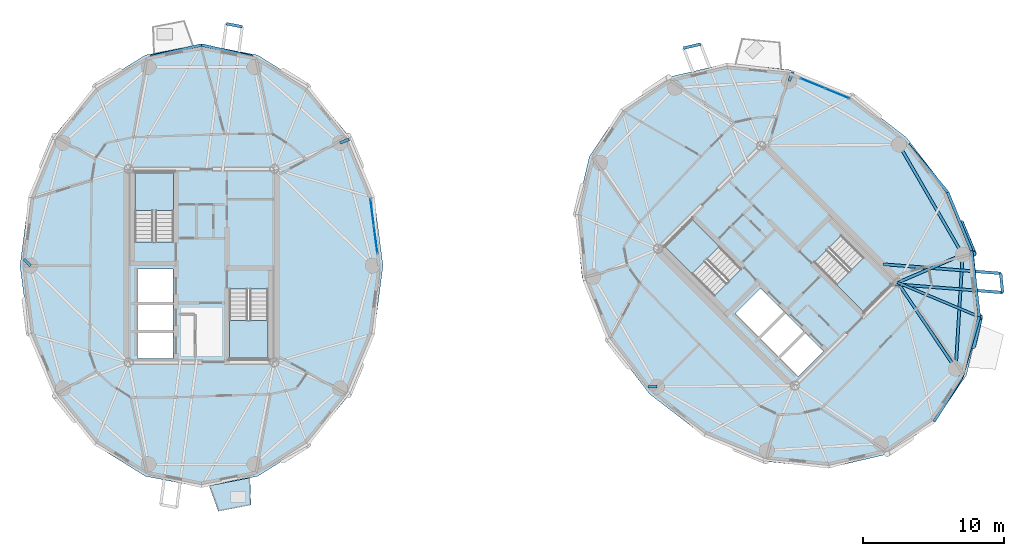
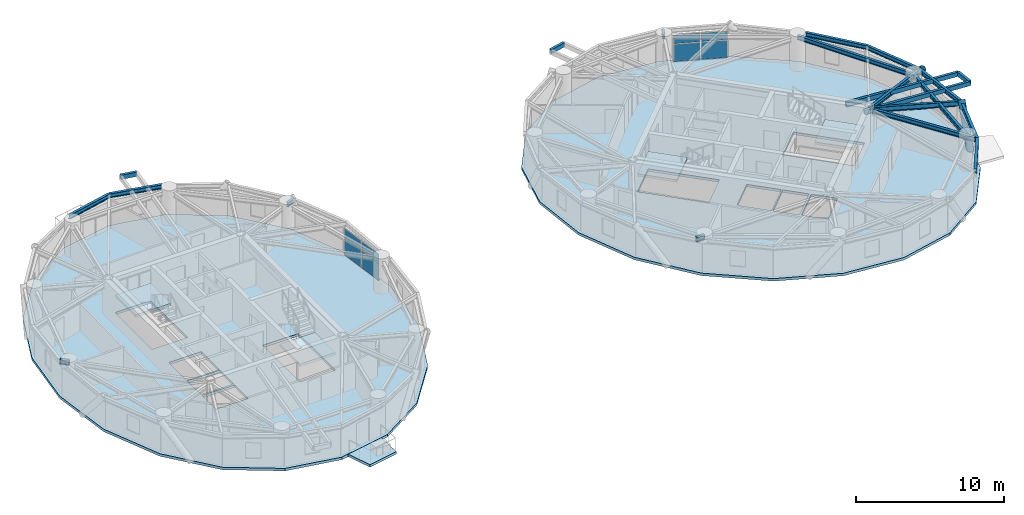
# One storey, part 7 of 17: 21 beams, 8 plates, 7 slabs, 2 members, 6 elements without a shape of their own.
"""IFC4 building model written with IfcOpenShell, lengths in metres."""

from ifc_helpers import new_model, si_unit, direction, frame, origin, origin_2d, place, context, subcontext, project, spatial, polyline, rectangle, hollow_rectangle, hollow_circle, i_section, outline, extrude, source, transform, mapped, material, layer, layer_set, material_profile, profile_set, type_object, element, aggregate, save


model = new_model("IFC4")

# Units and contexts
model_context = context("Model", 3, precision=1e-05, world=origin(), true_north=direction((0.0, 1.0)))
body_context = subcontext(model_context, "Body", "Model", "MODEL_VIEW")
ifc_project = project(units=[si_unit("LENGTHUNIT", "METRE"), si_unit("AREAUNIT", "SQUARE_METRE"), si_unit("VOLUMEUNIT", "CUBIC_METRE"), si_unit("PLANEANGLEUNIT", "RADIAN"), si_unit("MASSUNIT", "GRAM", prefix="KILO")], contexts=[model_context])

# Site, building, storey
site_placement = place(None, origin())
site = spatial("IfcSite", under=ifc_project, at=site_placement, CompositionType="ELEMENT")
building_placement = place(site_placement, origin())
building = spatial("IfcBuilding", under=site, at=building_placement, Name="Cununo Teusaquillo Station Towers", CompositionType="ELEMENT")
storey_placement = place(building_placement, frame((0.0, 0.0, 205.389892578125)))
storey = spatial("IfcBuildingStorey", under=building, at=storey_placement, Name="L65", CompositionType="ELEMENT", Elevation=205.389892578125)

# Beams
ifc_material_1 = material(Name="Steel EN 10025-2 S355J2", Category="steel")
ifc_material_profile_1 = material_profile(ifc_material_1, hollow_rectangle(XDim=0.199951171875, YDim=0.35009765625, WallThickness=0.013916015625, at=origin_2d()), Name="RHS 350x200x14")
ifc_profile_set_1 = profile_set([ifc_material_profile_1], Name="Steel EN 10025-2 S355J2")
beam_type_1 = type_object("IfcBeamType", Name="BM-BAL-CANT", PredefinedType="BEAM", material=ifc_profile_set_1)
beam_1_placement = place(storey_placement, frame((65.602783203125, 23.1982421875, 2.525146484375), z_axis=(0.997032447952, -0.076982450804, 0.0), x_axis=(0.076982450804, 0.997032447952, 0.0)))
element("IfcBeam", 1, at=beam_1_placement, inside=storey, type_object=beam_type_1, Name="L65 Tower B Balcony Cantilever Bracket 2A", PredefinedType="BEAM", context=body_context, shape_type="SweptSolid", body=[
    extrude(hollow_rectangle(XDim=0.199951171875, YDim=0.35009765625, WallThickness=0.013916015625, at=origin_2d()), origin(), (0.0, 0.0, 1.0), 7.89990234375),
])
beam_2_placement = place(storey_placement, frame((64.966064453125, 24.599853515625, 2.525146484375), z_axis=(0.997033941401, -0.076963106063, 0.0), x_axis=(0.076963106063, 0.997033941401, 0.0)))
element("IfcBeam", 2, at=beam_2_placement, inside=storey, type_object=beam_type_1, Name="L65 Tower B Balcony Cantilever Bracket 2B", PredefinedType="BEAM", context=body_context, shape_type="SweptSolid", body=[
    extrude(hollow_rectangle(XDim=0.199951171875, YDim=0.35009765625, WallThickness=0.013916015625, at=origin_2d()), origin(), (0.0, 0.0, 1.0), 8.403076171875),
])
ifc_material_2 = material(Name="Steel ASTM A572 Grade 50", Category="steel")
ifc_material_profile_2 = material_profile(ifc_material_2, i_section(OverallWidth=0.180908203125, OverallDepth=0.4169921875, WebThickness=0.010986328125, FlangeThickness=0.018310546875, FilletRadius=0.012939453125, at=origin_2d()), Name="W16X57")
ifc_profile_set_2 = profile_set([ifc_material_profile_2], Name="Steel ASTM A572 Grade 50")
beam_type_2 = type_object("IfcBeamType", Name="BM-JOIST-1", PredefinedType="JOIST", material=ifc_profile_set_2)
beam_3_placement = place(storey_placement, frame((66.024169921875, 23.29443359375, 2.49169921875), z_axis=(0.922169338565, -0.386786389381, 0.0), x_axis=(0.386786389381, 0.922169338565, 0.0)))
element("IfcBeam", 3, at=beam_3_placement, inside=storey, type_object=beam_type_2, Name="L65 Tower B Radial Spandrel Joist V17", PredefinedType="JOIST", context=body_context, shape_type="SweptSolid", body=[
    extrude(i_section(OverallWidth=0.180908203125, OverallDepth=0.4169921875, WebThickness=0.010986328125, FlangeThickness=0.018310546875, FilletRadius=0.012939453125, at=origin_2d()), origin(), (0.0, 0.0, 1.0), 6.281005859375),
])
ifc_material_3 = material(Name="Steel ASTM A572 Grade 50", Category="steel")
ifc_material_profile_3 = material_profile(ifc_material_3, i_section(OverallWidth=0.2041015625, OverallDepth=0.35009765625, WebThickness=0.008544921875, FlangeThickness=0.01513671875, FilletRadius=0.011962890625, at=origin_2d()), Name="W14X48")
ifc_profile_set_3 = profile_set([ifc_material_profile_3], Name="Steel ASTM A572 Grade 50")
beam_type_3 = type_object("IfcBeamType", Name="BM-RAD-G3", PredefinedType="BEAM", material=ifc_profile_set_3)
beam_4_placement = place(storey_placement, frame((26.347412109375, 33.228515625, 2.525146484375), z_axis=(0.929761307449, 0.368162886738, 0.0), x_axis=(-0.368162886738, 0.929761307449, 0.0)))
element("IfcBeam", 4, at=beam_4_placement, inside=storey, type_object=beam_type_3, Name="L65 Tower A Perimeter Overhang Girder 02B", PredefinedType="BEAM", context=body_context, shape_type="SweptSolid", body=[
    extrude(i_section(OverallWidth=0.2041015625, OverallDepth=0.35009765625, WebThickness=0.008544921875, FlangeThickness=0.01513671875, FilletRadius=0.011962890625, at=origin_2d()), origin(), (0.0, 0.0, 1.0), 0.691650390625),
])
beam_5_placement = place(storey_placement, frame((4.327880859375, 24.5, 2.525146484375), z_axis=(-0.712904743691, 0.701260883283, 0.0), x_axis=(-0.701260883283, -0.712904743691, 0.0)))
element("IfcBeam", 5, at=beam_5_placement, inside=storey, type_object=beam_type_3, Name="L65 Tower A Perimeter Overhang Girder 06B", PredefinedType="BEAM", context=body_context, shape_type="SweptSolid", body=[
    extrude(i_section(OverallWidth=0.2041015625, OverallDepth=0.35009765625, WebThickness=0.008544921875, FlangeThickness=0.01513671875, FilletRadius=0.011962890625, at=origin_2d()), origin(), (0.0, 0.0, 1.0), 0.64990234375),
])
beam_6_placement = place(storey_placement, frame((58.291015625, 37.63525390625, 2.525146484375), z_axis=(0.397409333503, 0.917641445034, 0.0), x_axis=(-0.917641445034, 0.397409333503, 0.0)))
element("IfcBeam", 6, at=beam_6_placement, inside=storey, type_object=beam_type_3, Name="L65 Tower B Perimeter Overhang Girder 02B", PredefinedType="BEAM", context=body_context, shape_type="SweptSolid", body=[
    extrude(i_section(OverallWidth=0.2041015625, OverallDepth=0.35009765625, WebThickness=0.008544921875, FlangeThickness=0.01513671875, FilletRadius=0.011962890625, at=origin_2d()), origin(), (0.0, 0.0, 1.0), 0.691650390625),
])
beam_7_placement = place(storey_placement, frame((48.89306640625, 15.89306640625, 2.525146484375), z_axis=(-0.999962704276, -0.008636553586, 0.0), x_axis=(0.008636553586, -0.999962704276, 0.0)))
element("IfcBeam", 7, at=beam_7_placement, inside=storey, type_object=beam_type_3, Name="L65 Tower B Perimeter Overhang Girder 06B", PredefinedType="BEAM", context=body_context, shape_type="SweptSolid", body=[
    extrude(i_section(OverallWidth=0.2041015625, OverallDepth=0.35009765625, WebThickness=0.008544921875, FlangeThickness=0.01513671875, FilletRadius=0.011962890625, at=origin_2d()), origin(), (0.0, 0.0, 1.0), 0.650146484375),
])
beam_8_placement = place(storey_placement, frame((66.024169921875, 23.29443359375, 2.525146484375), z_axis=(0.558570844079, -0.829456817529, 0.0), x_axis=(0.829456817529, 0.558570844079, 0.0)))
element("IfcBeam", 8, at=beam_8_placement, inside=storey, type_object=beam_type_3, Name="L65 Tower B Continuous Overhanging Radial Girder 09", PredefinedType="BEAM", context=body_context, shape_type="SweptSolid", body=[
    extrude(i_section(OverallWidth=0.2041015625, OverallDepth=0.35009765625, WebThickness=0.008544921875, FlangeThickness=0.01513671875, FilletRadius=0.011962890625, at=origin_2d()), origin(), (0.0, 0.0, 1.0), 8.1240234375),
])
beam_9_placement = place(storey_placement, frame((66.024169921875, 23.29443359375, 2.525146484375), z_axis=(0.917665176837, 0.397354530893, 0.0), x_axis=(-0.397354530893, 0.917665176837, 0.0)))
element("IfcBeam", 9, at=beam_9_placement, inside=storey, type_object=beam_type_3, Name="L65 Tower B Continuous Overhanging Radial Girder 10", PredefinedType="BEAM", context=body_context, shape_type="SweptSolid", body=[
    extrude(i_section(OverallWidth=0.2041015625, OverallDepth=0.35009765625, WebThickness=0.008544921875, FlangeThickness=0.01513671875, FilletRadius=0.011962890625, at=origin_2d()), origin(), (0.0, 0.0, 1.0), 5.716552734375),
])
ifc_material_4 = material(Name="Steel ASTM A572 Grade 50", Category="steel")
ifc_material_profile_4 = material_profile(ifc_material_4, i_section(OverallWidth=0.2041015625, OverallDepth=0.35009765625, WebThickness=0.008544921875, FlangeThickness=0.01513671875, FilletRadius=0.011962890625, at=origin_2d()), Name="W14X48")
ifc_profile_set_4 = profile_set([ifc_material_profile_4], Name="Steel ASTM A572 Grade 50")
beam_type_4 = type_object("IfcBeamType", Name="BM-RING-Z4", PredefinedType="SPANDREL", material=ifc_profile_set_4)
for number, where, z_axis, x_axis, name in (
    (10, (20.118896484375, 39.353515625, 2.525146484375), (-0.97431470066, 0.225190728224, 0.0), (-0.225190728224, -0.97431470066, 0.0), "L65 Tower A Spandrel Ring Beam 05"),
    (11, (16.5, 40.18994140625, 2.525146484375), (-0.97431470066, -0.225190728224, 0.0), (0.225190728224, -0.97431470066, 0.0), "L65 Tower A Spandrel Ring Beam 06"),
):
    element("IfcBeam", number, at=place(storey_placement, frame(where, z_axis=z_axis, x_axis=x_axis)), inside=storey, type_object=beam_type_4, Name=name, PredefinedType="SPANDREL", context=body_context, shape_type="SweptSolid", body=[
        extrude(i_section(OverallWidth=0.2041015625, OverallDepth=0.35009765625, WebThickness=0.008544921875, FlangeThickness=0.01513671875, FilletRadius=0.011962890625, at=origin_2d()), origin(), (0.0, 0.0, 1.0), 3.71435546875),
    ])
beam_10_placement = place(storey_placement, frame((70.146240234375, 17.173095703125, 2.525146484375), z_axis=(0.06012979176, 0.998190567048, 0.0), x_axis=(-0.998190567048, 0.06012979176, 0.0)))
element("IfcBeam", 12, at=beam_10_placement, inside=storey, type_object=beam_type_4, Name="L65 Tower B Structural Column Ring Girder 09", PredefinedType="SPANDREL", context=body_context, shape_type="SweptSolid", body=[
    extrude(i_section(OverallWidth=0.2041015625, OverallDepth=0.35009765625, WebThickness=0.008544921875, FlangeThickness=0.01513671875, FilletRadius=0.011962890625, at=origin_2d()), origin(), (0.0, 0.0, 1.0), 8.132568359375),
])
beam_11_placement = place(storey_placement, frame((70.63525390625, 25.291015625, 2.525146484375), z_axis=(-0.501311121078, 0.865267103202, 0.0), x_axis=(-0.865267103202, -0.501311121078, 0.0)))
element("IfcBeam", 13, at=beam_11_placement, inside=storey, type_object=beam_type_4, Name="L65 Tower B Structural Column Ring Girder 10", PredefinedType="SPANDREL", context=body_context, shape_type="SweptSolid", body=[
    extrude(i_section(OverallWidth=0.2041015625, OverallDepth=0.35009765625, WebThickness=0.008544921875, FlangeThickness=0.01513671875, FilletRadius=0.011962890625, at=origin_2d()), origin(), (0.0, 0.0, 1.0), 9.032958984375),
])
beam_12_placement = place(storey_placement, frame((68.594482421875, 13.405517578125, 2.525146484375), z_axis=(0.529715312739, 0.848175505099, 0.0), x_axis=(-0.848175505099, 0.529715312739, 0.0)))
element("IfcBeam", 14, at=beam_12_placement, inside=storey, type_object=beam_type_4, Name="L65 Tower B Spandrel Ring Beam 16", PredefinedType="SPANDREL", context=body_context, shape_type="SweptSolid", body=[
    extrude(i_section(OverallWidth=0.2041015625, OverallDepth=0.35009765625, WebThickness=0.008544921875, FlangeThickness=0.01513671875, FilletRadius=0.011962890625, at=origin_2d()), origin(), (0.0, 0.0, 1.0), 3.71435546875),
])
beam_13_placement = place(storey_placement, frame((70.56201171875, 16.555908203125, 2.525146484375), z_axis=(0.279502797802, 0.96014487762, 0.0), x_axis=(-0.96014487762, 0.279502797802, 0.0)))
element("IfcBeam", 15, at=beam_13_placement, inside=storey, type_object=beam_type_4, Name="L65 Tower B Spandrel Ring Beam 17", PredefinedType="SPANDREL", context=body_context, shape_type="SweptSolid", body=[
    extrude(i_section(OverallWidth=0.2041015625, OverallDepth=0.35009765625, WebThickness=0.008544921875, FlangeThickness=0.01513671875, FilletRadius=0.011962890625, at=origin_2d()), origin(), (0.0, 0.0, 1.0), 4.488037109375),
])
beam_14_placement = place(storey_placement, frame((71.81640625, 20.864990234375, 2.525146484375), z_axis=(-0.115452326356, 0.993313022334, 0.0), x_axis=(-0.993313022334, -0.115452326356, 0.0)))
element("IfcBeam", 16, at=beam_14_placement, inside=storey, type_object=beam_type_4, Name="L65 Tower B Spandrel Ring Beam 18", PredefinedType="SPANDREL", context=body_context, shape_type="SweptSolid", body=[
    extrude(i_section(OverallWidth=0.2041015625, OverallDepth=0.35009765625, WebThickness=0.008544921875, FlangeThickness=0.01513671875, FilletRadius=0.011962890625, at=origin_2d()), origin(), (0.0, 0.0, 1.0), 4.732666015625),
])
beam_15_placement = place(storey_placement, frame((71.27001953125, 25.56591796875, 2.525146484375), z_axis=(-0.379275405388, 0.925283830437, 0.0), x_axis=(-0.925283830437, -0.379275405388, 0.0)))
element("IfcBeam", 17, at=beam_15_placement, inside=storey, type_object=beam_type_4, Name="L65 Tower B Spandrel Ring Beam 19", PredefinedType="SPANDREL", context=body_context, shape_type="SweptSolid", body=[
    extrude(i_section(OverallWidth=0.2041015625, OverallDepth=0.35009765625, WebThickness=0.008544921875, FlangeThickness=0.01513671875, FilletRadius=0.011962890625, at=origin_2d()), origin(), (0.0, 0.0, 1.0), 4.482177734375),
])
beam_16_placement = place(storey_placement, frame((69.570068359375, 29.713134765625, 2.525146484375), z_axis=(-0.637524682095, 0.770429931739, 0.0), x_axis=(-0.770429931739, -0.637524682095, 0.0)))
element("IfcBeam", 18, at=beam_16_placement, inside=storey, type_object=beam_type_4, Name="L65 Tower B Spandrel Ring Beam 20", PredefinedType="SPANDREL", context=body_context, shape_type="SweptSolid", body=[
    extrude(i_section(OverallWidth=0.2041015625, OverallDepth=0.35009765625, WebThickness=0.008544921875, FlangeThickness=0.01513671875, FilletRadius=0.011962890625, at=origin_2d()), origin(), (0.0, 0.0, 1.0), 4.412353515625),
])
ifc_material_5 = material(Name="Steel EN 10025-2 S355J2", Category="steel")
ifc_material_profile_5 = material_profile(ifc_material_5, hollow_rectangle(XDim=0.199951171875, YDim=0.35009765625, WallThickness=0.013916015625, at=origin_2d()), Name="RHS 350x200x14")
ifc_profile_set_5 = profile_set([ifc_material_profile_5], Name="Steel EN 10025-2 S355J2")
beam_type_5 = type_object("IfcBeamType", Name="BM-STAIR-TRIM", PredefinedType="BEAM", material=ifc_profile_set_5)
beam_17_placement = place(storey_placement, frame((19.398193359375, 41.489501953125, 2.525146484375), z_axis=(-0.981857200028, 0.189621830897, 0.0), x_axis=(-0.189621830897, -0.981857200028, 0.0)))
element("IfcBeam", 19, at=beam_17_placement, inside=storey, type_object=beam_type_5, Name="L65 Tower A Balcony Edge Trimmer Beam 1", PredefinedType="BEAM", context=body_context, shape_type="SweptSolid", body=[
    extrude(hollow_rectangle(XDim=0.199951171875, YDim=0.35009765625, WallThickness=0.013916015625, at=origin_2d()), origin(), (0.0, 0.0, 1.0), 1.157470703125),
])
beam_18_placement = place(storey_placement, frame((51.9951171875, 40.255859375, 2.525146484375), z_axis=(-0.973841209742, -0.227229615606, 0.0), x_axis=(0.227229615606, -0.973841209742, 0.0)))
element("IfcBeam", 20, at=beam_18_placement, inside=storey, type_object=beam_type_5, Name="L65 Tower B Balcony Edge Trimmer Beam 1", PredefinedType="BEAM", context=body_context, shape_type="SweptSolid", body=[
    extrude(hollow_rectangle(XDim=0.199951171875, YDim=0.35009765625, WallThickness=0.013916015625, at=origin_2d()), origin(), (0.0, 0.0, 1.0), 1.240966796875),
])
beam_19_placement = place(storey_placement, frame((73.479248046875, 22.590087890625, 2.525146484375), z_axis=(-0.098568340868, 0.995130284022, 0.0), x_axis=(-0.995130284022, -0.098568340868, 0.0)))
element("IfcBeam", 21, at=beam_19_placement, inside=storey, type_object=beam_type_5, Name="L65 Tower B Balcony Edge Trimmer Beam 2", PredefinedType="BEAM", context=body_context, shape_type="SweptSolid", body=[
    extrude(hollow_rectangle(XDim=0.199951171875, YDim=0.35009765625, WallThickness=0.013916015625, at=origin_2d()), origin(), (0.0, 0.0, 1.0), 1.36962890625),
])

# Members
ifc_material_6 = material(Name="Steel EN 10025-2 S355J2", Category="steel")
ifc_material_profile_6 = material_profile(ifc_material_6, hollow_circle(Radius=0.25390625, WallThickness=0.01806640625, at=origin_2d()), Name="CHS 508x18")
ifc_profile_set_6 = profile_set([ifc_material_profile_6], Name="Steel EN 10025-2 S355J2")
member_type = type_object("IfcMemberType", Name="MBR-DIAG-Z4", PredefinedType="BRACE", material=ifc_profile_set_6)
member_1_placement = place(storey_placement, frame((71.337890625, 18.810791015625, -0.139892578125), z_axis=(0.13314567374, 0.571575356555, 0.809675145564), x_axis=(-0.97392481585, 0.226871005356, 0.0)))
element("IfcMember", 22, at=member_1_placement, inside=storey, type_object=member_type, Name="L65 Tower B Folded-Zigzag Diagrid Tube C16", PredefinedType="BRACE", context=body_context, shape_type="SweptSolid", body=[
    extrude(hollow_circle(Radius=0.25390625, WallThickness=0.01806640625, at=origin_2d()), origin(), (0.0, 0.0, 1.0), 3.593994140625),
])
member_2_placement = place(storey_placement, frame((70.47119140625, 27.521484375, -0.139892578125), z_axis=(0.240125007618, -0.584015766292, 0.775413157896), x_axis=(0.924874275738, 0.380273025704, 0.0)))
element("IfcMember", 23, at=member_2_placement, inside=storey, type_object=member_type, Name="L65 Tower B Folded-Zigzag Diagrid Tube C18", PredefinedType="BRACE", context=body_context, shape_type="SweptSolid", body=[
    extrude(hollow_circle(Radius=0.25390625, WallThickness=0.01806640625, at=origin_2d()), origin(), (0.0, 0.0, 1.0), 3.752685546875),
])

# Slab
ifc_material_7 = material(Name="Concrete C50/60", Category="concrete")
ifc_layer_1 = layer(ifc_material_7, 0.2099609375)
ifc_layer_set_1 = layer_set([ifc_layer_1], Name="Concrete C50/60")
slab_type_1 = type_object("IfcSlabType", Name="SLB-BAL-210", PredefinedType="FLOOR", material=ifc_layer_set_1)
slab_1_placement = place(storey_placement, frame((0.0, 0.0, -0.2099609375)))
element("IfcSlab", 24, at=slab_1_placement, inside=storey, type_object=slab_type_1, Name="L65 Tower A Tree Balcony Slab 2", PredefinedType="FLOOR", context=body_context, shape_type="SweptSolid", body=[
    extrude(outline(polyline([(17.041015625, 8.849365234375), (19.9501953125, 9.41162109375), (20.01904296875, 7.474609375), (17.69873046875, 7.026123046875), (17.041015625, 8.849365234375)])), origin(), (0.0, 0.0, 1.0), 0.2099609375),
])

# Stair, slab
ifc_material_8 = material(Name="Concrete C50/60", Category="concrete")
stair_type = type_object("IfcStairType", Name="ST-TWR-1300", PredefinedType="HALF_TURN_STAIR", material=ifc_material_8)
stair_1_placement = place(storey_placement, origin())
stair_1 = element("IfcStair", 25, at=stair_1_placement, inside=storey, type_object=stair_type, Name="L65 Tower A Protected Core Exit Stair 1", PredefinedType="HALF_TURN_STAIR")
ifc_material_9 = material(Name="Concrete C50/60", Category="concrete")
ifc_layer_2 = layer(ifc_material_9, 0.199951171875)
ifc_layer_set_2 = layer_set([ifc_layer_2], Name="Concrete C50/60")
slab_type_2 = type_object("IfcSlabType", Name="SLB-STAIR-LND", PredefinedType="LANDING", material=ifc_layer_set_2)
slab_2_placement = place(storey_placement, frame((0.0, 0.0, 1.255126953125)))
slab_2 = element("IfcSlab", 26, at=slab_2_placement, type_object=slab_type_2, Name="ST-T1-1 landing 1", PredefinedType="LANDING", context=body_context, shape_type="SweptSolid", body=[
    extrude(outline(polyline([(14.52001953125, 28.409912109375), (14.52001953125, 31.159912109375), (11.760009765625, 31.159912109375), (11.760009765625, 28.409912109375), (14.52001953125, 28.409912109375)])), origin(), (0.0, 0.0, 1.0), 0.199951171875),
])
aggregate(stair_1, [slab_2])

stair_2_placement = place(storey_placement, origin())
stair_2 = element("IfcStair", 27, at=stair_2_placement, inside=storey, type_object=stair_type, Name="L65 Tower A Protected Core Exit Stair 2", PredefinedType="HALF_TURN_STAIR")
slab_3_placement = place(storey_placement, frame((0.0, 0.0, 1.255126953125)))
slab_3 = element("IfcSlab", 28, at=slab_3_placement, type_object=slab_type_2, Name="ST-T1-2 landing 1", PredefinedType="LANDING", context=body_context, shape_type="SweptSolid", body=[
    extrude(outline(polyline([(18.47998046875, 20.590087890625), (18.47998046875, 17.840087890625), (21.239990234375, 17.840087890625), (21.239990234375, 20.590087890625), (18.47998046875, 20.590087890625)])), origin(), (0.0, 0.0, 1.0), 0.199951171875),
])
aggregate(stair_2, [slab_3])

stair_3_placement = place(storey_placement, origin())
stair_3 = element("IfcStair", 29, at=stair_3_placement, inside=storey, type_object=stair_type, Name="L65 Tower B Protected Core Exit Stair 1", PredefinedType="HALF_TURN_STAIR")
slab_4_placement = place(storey_placement, frame((0.0, 0.0, 1.255126953125)))
slab_4 = element("IfcSlab", 30, at=slab_4_placement, type_object=slab_type_2, Name="ST-T2-1 landing 1", PredefinedType="LANDING", context=body_context, shape_type="SweptSolid", body=[
    extrude(outline(polyline([(53.335205078125, 25.86474609375), (51.390625, 27.809326171875), (49.43896484375, 25.857666015625), (51.383544921875, 23.9130859375), (53.335205078125, 25.86474609375)])), origin(), (0.0, 0.0, 1.0), 0.199951171875),
])
aggregate(stair_3, [slab_4])

stair_4_placement = place(storey_placement, origin())
stair_4 = element("IfcStair", 31, at=stair_4_placement, inside=storey, type_object=stair_type, Name="L65 Tower B Protected Core Exit Stair 2", PredefinedType="HALF_TURN_STAIR")
slab_5_placement = place(storey_placement, frame((0.0, 0.0, 1.255126953125)))
slab_5 = element("IfcSlab", 32, at=slab_5_placement, type_object=slab_type_2, Name="ST-T2-2 landing 1", PredefinedType="LANDING", context=body_context, shape_type="SweptSolid", body=[
    extrude(outline(polyline([(61.664794921875, 23.13525390625), (63.609375, 21.190673828125), (65.56103515625, 23.142333984375), (63.616455078125, 25.0869140625), (61.664794921875, 23.13525390625)])), origin(), (0.0, 0.0, 1.0), 0.199951171875),
])
aggregate(stair_4, [slab_5])

# Slabs
ifc_material_10 = material(Name="Concrete C40/50", Category="concrete")
ifc_layer_3 = layer(ifc_material_10, 0.2099609375)
ifc_layer_set_3 = layer_set([ifc_layer_3], Name="Concrete C40/50")
slab_type_3 = type_object("IfcSlabType", Name="SLB-Z4-200", PredefinedType="FLOOR", material=ifc_layer_set_3)
slab_6_placement = place(storey_placement, frame((0.0, 0.0, -0.2099609375)))
element("IfcSlab", 33, at=slab_6_placement, inside=storey, type_object=slab_type_3, Name="L65 Tower A Floor Slab", PredefinedType="FLOOR", context=body_context, shape_type="SweptSolid", body=[
    extrude(outline(polyline([(29.409912109375, 24.5), (28.778076171875, 29.366943359375), (26.9443359375, 33.757568359375), (24.08837890625, 37.241943359375), (20.489501953125, 39.47900390625), (16.5, 40.25), (12.510498046875, 39.47900390625), (8.91162109375, 37.241943359375), (6.0556640625, 33.757568359375), (4.221923828125, 29.366943359375), (3.590087890625, 24.5), (4.221923828125, 19.633056640625), (6.0556640625, 15.242431640625), (8.91162109375, 11.758056640625), (12.510498046875, 9.52099609375), (16.5, 8.75), (20.489501953125, 9.52099609375), (24.08837890625, 11.758056640625), (26.9443359375, 15.242431640625), (28.778076171875, 19.633056640625), (29.409912109375, 24.5)]), holes=[polyline([(14.52001953125, 26.176025390625), (14.52001953125, 31.159912109375), (11.760009765625, 31.159912109375), (11.760009765625, 26.176025390625), (14.52001953125, 26.176025390625)]), polyline([(18.47998046875, 22.823974609375), (18.47998046875, 17.840087890625), (21.239990234375, 17.840087890625), (21.239990234375, 22.823974609375), (18.47998046875, 22.823974609375)]), polyline([(11.949951171875, 21.85009765625), (14.47998046875, 21.85009765625), (14.47998046875, 24.25), (11.949951171875, 24.25), (11.949951171875, 21.85009765625)]), polyline([(11.949951171875, 17.89990234375), (14.47998046875, 17.89990234375), (14.47998046875, 19.75), (11.949951171875, 19.75), (11.949951171875, 17.89990234375)]), polyline([(11.949951171875, 19.89990234375), (14.47998046875, 19.89990234375), (14.47998046875, 21.75), (11.949951171875, 21.75), (11.949951171875, 19.89990234375)])]), origin(), (0.0, 0.0, 1.0), 0.2099609375),
])
slab_7_placement = place(storey_placement, frame((0.0, 0.0, -0.2099609375)))
element("IfcSlab", 34, at=slab_7_placement, inside=storey, type_object=slab_type_3, Name="L65 Tower B Floor Slab", PredefinedType="FLOOR", context=body_context, shape_type="SweptSolid", body=[
    extrude(outline(polyline([(66.628662109375, 33.628662109375), (62.740478515625, 36.623291015625), (58.339111328125, 38.431396484375), (53.855712890625, 38.875732421875), (49.72900390625, 37.912841796875), (46.363037109375, 35.636962890625), (44.087158203125, 32.27099609375), (43.124267578125, 28.144287109375), (43.568603515625, 23.660888671875), (45.376708984375, 19.259521484375), (48.371337890625, 15.371337890625), (52.259521484375, 12.376708984375), (56.660888671875, 10.568603515625), (61.144287109375, 10.124267578125), (65.27099609375, 11.087158203125), (68.636962890625, 13.363037109375), (70.912841796875, 16.72900390625), (71.875732421875, 20.855712890625), (71.431396484375, 25.339111328125), (69.623291015625, 29.740478515625), (66.628662109375, 33.628662109375)]), holes=[polyline([(54.914794921875, 24.28515625), (51.390625, 27.809326171875), (49.43896484375, 25.857666015625), (52.963134765625, 22.33349609375), (54.914794921875, 24.28515625)]), polyline([(60.085205078125, 24.71484375), (63.609375, 21.190673828125), (65.56103515625, 23.142333984375), (62.036865234375, 26.66650390625), (60.085205078125, 24.71484375)]), polyline([(56.156494140625, 19.40869140625), (57.945556640625, 21.19775390625), (56.248291015625, 22.89501953125), (54.45947265625, 21.10595703125), (56.156494140625, 19.40869140625)]), polyline([(58.94970703125, 16.61572265625), (60.738525390625, 18.40478515625), (59.430419921875, 19.712890625), (57.641357421875, 17.923828125), (58.94970703125, 16.61572265625)]), polyline([(57.535400390625, 18.030029296875), (59.32421875, 19.819091796875), (58.01611328125, 21.127197265625), (56.227294921875, 19.338134765625), (57.535400390625, 18.030029296875)])]), origin(), (0.0, 0.0, 1.0), 0.2099609375),
])

# Curtain wall, plates
ifc_material_11 = material(Name="Ceramic-fritted dark low-E double glazing", Category="glass")
ifc_layer_4 = layer(ifc_material_11, 0.179931640625)
ifc_layer_set_4 = layer_set([ifc_layer_4], Name="Ceramic-fritted dark low-E double glazing")
curtain_wall_type = type_object("IfcCurtainWallType", Name="CW-SYS-07", PredefinedType="USERDEFINED", material=ifc_layer_set_4)
curtain_wall_1_placement = place(storey_placement, origin())
curtain_wall_1 = element("IfcCurtainWall", 35, at=curtain_wall_1_placement, inside=storey, type_object=curtain_wall_type, Name="L65 Tower A Facade Curtain Wall C00", ObjectType="FRITTED GLAZING", PredefinedType="USERDEFINED")
ifc_material_12 = material(Name="Ceramic-fritted dark low-E double glazing", Category="glass")
ifc_layer_5 = layer(ifc_material_12, 0.028076171875)
ifc_layer_set_5 = layer_set([ifc_layer_5], Name="Ceramic-fritted dark low-E double glazing")
plate_type = type_object("IfcPlateType", Name="CWP-FRIT-28", PredefinedType="CURTAIN_PANEL", material=ifc_layer_set_5)
shared_shape_1 = source(origin(), body_context, "Body", "SweptSolid", [
    extrude(rectangle(XDim=1.8876953125, YDim=0.028076171875, at=origin_2d()), origin(), (0.0, 0.0, 1.0), 1.41162109375),
])
plate_1_placement = place(storey_placement, frame((28.64111328125, 28.280029296875, 0.06494140625), z_axis=(0.0, 0.0, 1.0), x_axis=(0.12825264413, -0.991741528461, 0.0)))
plate_1 = element("IfcPlate", 36, at=plate_1_placement, type_object=plate_type, Name="CW-07 panel 1.1", PredefinedType="CURTAIN_PANEL", context=body_context, shape_type="MappedRepresentation", body=[
    mapped(shared_shape_1, transform((0.0, 0.0, 0.0), x_axis=(1.0, 0.0, 0.0), y_axis=(0.0, 1.0, 0.0), z_axis=(0.0, 0.0, 1.0), scale=1.0)),
])
plate_2_placement = place(storey_placement, frame((28.8916015625, 26.343505859375, 0.06494140625), z_axis=(0.0, 0.0, 1.0), x_axis=(0.12825264413, -0.991741528461, 0.0)))
plate_2 = element("IfcPlate", 37, at=plate_2_placement, type_object=plate_type, Name="CW-07 panel 2.1", PredefinedType="CURTAIN_PANEL", context=body_context, shape_type="MappedRepresentation", body=[
    mapped(shared_shape_1, transform((0.0, 0.0, 0.0), x_axis=(1.0, 0.0, 0.0), y_axis=(0.0, 1.0, 0.0), z_axis=(0.0, 0.0, 1.0), scale=1.0)),
])
shared_shape_2 = source(origin(), body_context, "Body", "SweptSolid", [
    extrude(rectangle(XDim=1.8876953125, YDim=0.028076171875, at=origin_2d()), origin(), (0.0, 0.0, 1.0), 0.715576171875),
])
plate_3_placement = place(storey_placement, frame((28.64111328125, 28.280029296875, 1.54150390625), z_axis=(0.0, 0.0, 1.0), x_axis=(0.12825264413, -0.991741528461, 0.0)))
plate_3 = element("IfcPlate", 38, at=plate_3_placement, type_object=plate_type, Name="CW-07 panel 1.2", PredefinedType="CURTAIN_PANEL", context=body_context, shape_type="MappedRepresentation", body=[
    mapped(shared_shape_2, transform((0.0, 0.0, 0.0), x_axis=(1.0, 0.0, 0.0), y_axis=(0.0, 1.0, 0.0), z_axis=(0.0, 0.0, 1.0), scale=1.0)),
])
plate_4_placement = place(storey_placement, frame((28.8916015625, 26.343505859375, 1.54150390625), z_axis=(0.0, 0.0, 1.0), x_axis=(0.12825264413, -0.991741528461, 0.0)))
plate_4 = element("IfcPlate", 39, at=plate_4_placement, type_object=plate_type, Name="CW-07 panel 2.2", PredefinedType="CURTAIN_PANEL", context=body_context, shape_type="MappedRepresentation", body=[
    mapped(shared_shape_2, transform((0.0, 0.0, 0.0), x_axis=(1.0, 0.0, 0.0), y_axis=(0.0, 1.0, 0.0), z_axis=(0.0, 0.0, 1.0), scale=1.0)),
])
aggregate(curtain_wall_1, [plate_1, plate_3, plate_2, plate_4])

curtain_wall_2_placement = place(storey_placement, origin())
curtain_wall_2 = element("IfcCurtainWall", 40, at=curtain_wall_2_placement, inside=storey, type_object=curtain_wall_type, Name="L65 Tower B Facade Curtain Wall C01", ObjectType="FRITTED GLAZING", PredefinedType="USERDEFINED")
shared_shape_3 = source(origin(), body_context, "Body", "SweptSolid", [
    extrude(rectangle(XDim=1.81298828125, YDim=0.028076171875, at=origin_2d()), origin(), (0.0, 0.0, 1.0), 1.41162109375),
])
plate_5_placement = place(storey_placement, frame((59.979248046875, 37.46044921875, 0.06494140625), z_axis=(0.0, 0.0, 1.0), x_axis=(0.924447019904, -0.381310513086, 0.0)))
plate_5 = element("IfcPlate", 41, at=plate_5_placement, type_object=plate_type, Name="CW-07 panel 1.1", PredefinedType="CURTAIN_PANEL", context=body_context, shape_type="MappedRepresentation", body=[
    mapped(shared_shape_3, transform((0.0, 0.0, 0.0), x_axis=(1.0, 0.0, 0.0), y_axis=(0.0, 1.0, 0.0), z_axis=(0.0, 0.0, 1.0), scale=1.0)),
])
plate_6_placement = place(storey_placement, frame((61.71533203125, 36.744384765625, 0.06494140625), z_axis=(0.0, 0.0, 1.0), x_axis=(0.924447019904, -0.381310513086, 0.0)))
plate_6 = element("IfcPlate", 42, at=plate_6_placement, type_object=plate_type, Name="CW-07 panel 2.1", PredefinedType="CURTAIN_PANEL", context=body_context, shape_type="MappedRepresentation", body=[
    mapped(shared_shape_3, transform((0.0, 0.0, 0.0), x_axis=(1.0, 0.0, 0.0), y_axis=(0.0, 1.0, 0.0), z_axis=(0.0, 0.0, 1.0), scale=1.0)),
])
shared_shape_4 = source(origin(), body_context, "Body", "SweptSolid", [
    extrude(rectangle(XDim=1.81298828125, YDim=0.028076171875, at=origin_2d()), origin(), (0.0, 0.0, 1.0), 0.715576171875),
])
plate_7_placement = place(storey_placement, frame((59.979248046875, 37.46044921875, 1.54150390625), z_axis=(0.0, 0.0, 1.0), x_axis=(0.924447019904, -0.381310513086, 0.0)))
plate_7 = element("IfcPlate", 43, at=plate_7_placement, type_object=plate_type, Name="CW-07 panel 1.2", PredefinedType="CURTAIN_PANEL", context=body_context, shape_type="MappedRepresentation", body=[
    mapped(shared_shape_4, transform((0.0, 0.0, 0.0), x_axis=(1.0, 0.0, 0.0), y_axis=(0.0, 1.0, 0.0), z_axis=(0.0, 0.0, 1.0), scale=1.0)),
])
plate_8_placement = place(storey_placement, frame((61.71533203125, 36.744384765625, 1.54150390625), z_axis=(0.0, 0.0, 1.0), x_axis=(0.924447019904, -0.381310513086, 0.0)))
plate_8 = element("IfcPlate", 44, at=plate_8_placement, type_object=plate_type, Name="CW-07 panel 2.2", PredefinedType="CURTAIN_PANEL", context=body_context, shape_type="MappedRepresentation", body=[
    mapped(shared_shape_4, transform((0.0, 0.0, 0.0), x_axis=(1.0, 0.0, 0.0), y_axis=(0.0, 1.0, 0.0), z_axis=(0.0, 0.0, 1.0), scale=1.0)),
])
aggregate(curtain_wall_2, [plate_5, plate_7, plate_6, plate_8])

save(model, "model.ifc")
